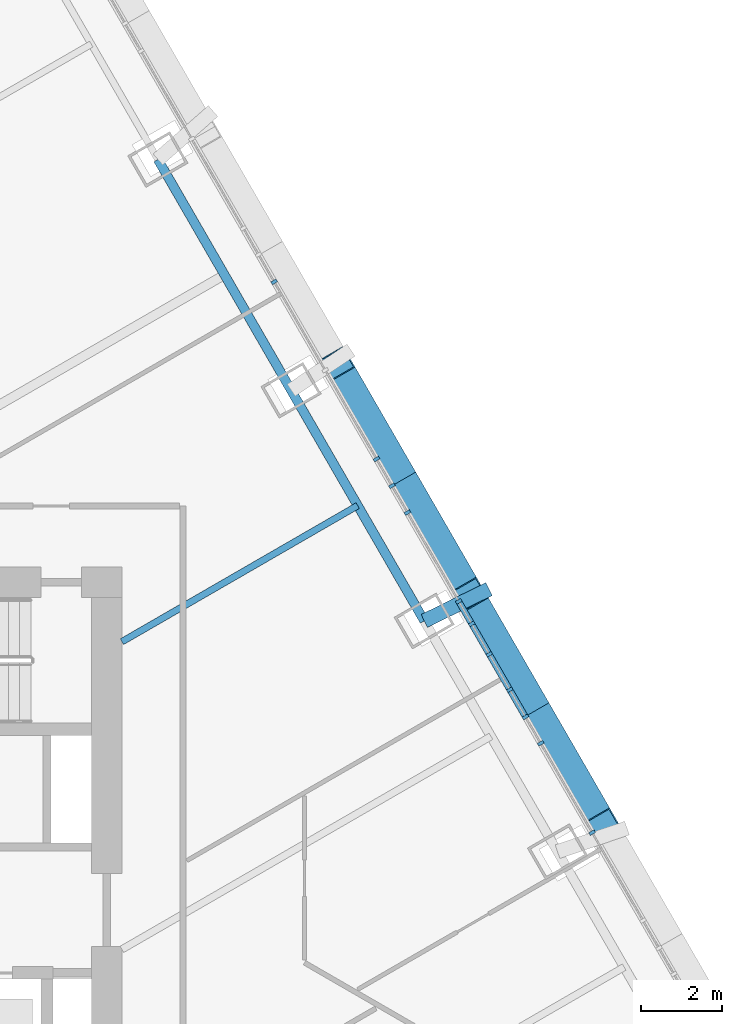
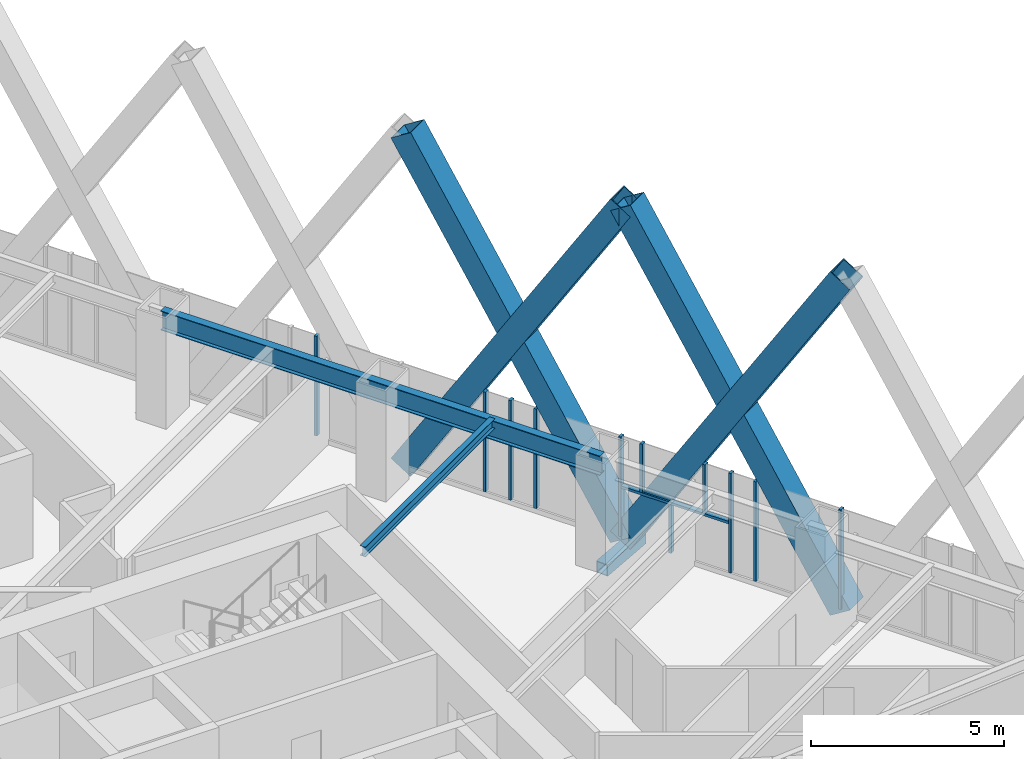
# One storey, part 9 of 25: 17 members, 2 beams, 1 element without a shape of its own.
"""IFC4 building model written with IfcOpenShell, lengths in metres."""

from ifc_helpers import new_model, si_unit, direction, frame, origin, origin_2d, place, context, subcontext, project, spatial, rectangle, hollow_rectangle, i_section, extrude, material, layer, layer_set, material_profile, profile_set, type_object, element, aggregate, save


model = new_model("IFC4")

# Units and contexts
model_context = context("Model", 3, precision=1e-05, world=origin(), true_north=direction((0.0, 1.0)))
body_context = subcontext(model_context, "Body", "Model", "MODEL_VIEW")
ifc_project = project(units=[si_unit("LENGTHUNIT", "METRE"), si_unit("AREAUNIT", "SQUARE_METRE"), si_unit("VOLUMEUNIT", "CUBIC_METRE"), si_unit("PLANEANGLEUNIT", "RADIAN"), si_unit("MASSUNIT", "GRAM", prefix="KILO")], contexts=[model_context])

# Site, building, storey
site_placement = place(None, origin())
site = spatial("IfcSite", under=ifc_project, at=site_placement, CompositionType="ELEMENT")
building_placement = place(site_placement, origin())
building = spatial("IfcBuilding", under=site, at=building_placement, Name="Firuza Gate Tower and Library", CompositionType="ELEMENT")
storey_placement = place(building_placement, frame((0.0, 0.0, 270.60009765625)))
storey = spatial("IfcBuildingStorey", under=building, at=storey_placement, Name="L64", CompositionType="ELEMENT", Elevation=270.60009765625)

# Members
ifc_material_1 = material(Name="Steel S355", Category="steel")
ifc_material_profile_1 = material_profile(ifc_material_1, hollow_rectangle(XDim=0.699951171875, YDim=0.699951171875, WallThickness=0.030029296875, at=origin_2d()))
ifc_profile_set_1 = profile_set([ifc_material_profile_1], Name="Steel S355")
member_type_1 = type_object("IfcMemberType", Name="BU700x700x30 Lattice brace", PredefinedType="BRACE", material=ifc_profile_set_1)
for number, where, z_axis, x_axis, name in (
    (1, (95.35986328125, 75.38330078125, 0.0), (-0.265087297838, 0.459121894397, 0.847900825928), (-0.866014664317, -0.500018600842, 0.0), "Lattice brace E 16.3R"),
    (2, (92.0771484375, 81.06884765625, 0.0), (0.265087297838, -0.459121894397, 0.847900825928), (0.866014664317, 0.500018600842, 0.0), "Lattice brace E 16.3L"),
    (3, (92.0771484375, 81.06884765625, 0.0), (-0.265084898364, 0.459137453369, 0.847893151036), (-0.86602396135, -0.500002498361, 0.0), "Lattice brace E 16.4R"),
    (4, (88.79443359375, 86.754638671875, 0.0), (0.265084898364, -0.459137453369, 0.847893151036), (0.86602396135, 0.500002498361, 0.0), "Lattice brace E 16.4L"),
):
    element("IfcMember", number, at=place(storey_placement, frame(where, z_axis=z_axis, x_axis=x_axis)), inside=storey, type_object=member_type_1, Name=name, PredefinedType="BRACE", context=body_context, shape_type="SweptSolid", body=[
        extrude(hollow_rectangle(XDim=0.699951171875, YDim=0.699951171875, WallThickness=0.030029296875, at=origin_2d()), origin(), (0.0, 0.0, 1.0), 12.383544921875),
    ])

# Curtain wall, members
ifc_material_2 = material(Name="Aluminium 6063-T6", Category="aluminium")
ifc_layer = layer(ifc_material_2, 0.14990234375)
ifc_layer_set = layer_set([ifc_layer], Name="Unitised curtain wall, residences")
curtain_wall_type = type_object("IfcCurtainWallType", Name="Unitised curtain wall, residences", PredefinedType="NOTDEFINED", material=ifc_layer_set)
curtain_wall_placement = place(storey_placement, origin())
curtain_wall = element("IfcCurtainWall", 5, at=curtain_wall_placement, inside=storey, type_object=curtain_wall_type, Name="CW3 L64 E face", PredefinedType="NOTDEFINED")
ifc_material_3 = material(Name="Aluminium 6063-T6", Category="aluminium")
ifc_material_profile_2 = material_profile(ifc_material_3, rectangle(XDim=0.14990234375, YDim=0.080078125, at=origin_2d()))
ifc_profile_set_2 = profile_set([ifc_material_profile_2], Name="Aluminium 6063-T6")
member_type_2 = type_object("IfcMemberType", Name="Curtain wall mullion 80x150", PredefinedType="MULLION", material=ifc_profile_set_2)
member_1_placement = place(storey_placement, frame((95.087646484375, 75.20458984375, 0.14990234375), z_axis=(0.0, 0.0, 1.0), x_axis=(-0.866025403784, -0.5, 0.0)))
member_1 = element("IfcMember", 6, at=member_1_placement, type_object=member_type_2, Name="Mullion", PredefinedType="MULLION", context=body_context, shape_type="SweptSolid", body=[
    extrude(rectangle(XDim=0.14990234375, YDim=0.080078125, at=origin_2d()), origin(), (0.0, 0.0, 1.0), 3.14990234375),
])
member_2_placement = place(storey_placement, frame((93.443115234375, 78.052978515625, 0.14990234375), z_axis=(0.0, 0.0, 1.0), x_axis=(-0.866025403784, -0.5, 0.0)))
member_2 = element("IfcMember", 7, at=member_2_placement, type_object=member_type_2, Name="Mullion", PredefinedType="MULLION", context=body_context, shape_type="SweptSolid", body=[
    extrude(rectangle(XDim=0.14990234375, YDim=0.080078125, at=origin_2d()), origin(), (0.0, 0.0, 1.0), 3.14990234375),
])
member_3_placement = place(storey_placement, frame((91.798828125, 80.901123046875, 0.14990234375), z_axis=(0.0, 0.0, 1.0), x_axis=(-0.866025403784, -0.5, 0.0)))
member_3 = element("IfcMember", 8, at=member_3_placement, type_object=member_type_2, Name="Mullion", PredefinedType="MULLION", context=body_context, shape_type="SweptSolid", body=[
    extrude(rectangle(XDim=0.14990234375, YDim=0.080078125, at=origin_2d()), origin(), (0.0, 0.0, 1.0), 3.14990234375),
])
member_4_placement = place(storey_placement, frame((90.154296875, 83.749267578125, 0.14990234375), z_axis=(0.0, 0.0, 1.0), x_axis=(-0.866025403784, -0.5, 0.0)))
member_4 = element("IfcMember", 9, at=member_4_placement, type_object=member_type_2, Name="Mullion", PredefinedType="MULLION", context=body_context, shape_type="SweptSolid", body=[
    extrude(rectangle(XDim=0.14990234375, YDim=0.080078125, at=origin_2d()), origin(), (0.0, 0.0, 1.0), 3.14990234375),
])
member_5_placement = place(storey_placement, frame((93.817626953125, 77.404052734375, 0.14990234375), z_axis=(0.0, 0.0, 1.0), x_axis=(-0.866025403784, -0.5, 0.0)))
member_5 = element("IfcMember", 10, at=member_5_placement, type_object=member_type_2, Name="Mullion", PredefinedType="MULLION", context=body_context, shape_type="SweptSolid", body=[
    extrude(rectangle(XDim=0.14990234375, YDim=0.080078125, at=origin_2d()), origin(), (0.0, 0.0, 1.0), 3.14990234375),
])
member_6_placement = place(storey_placement, frame((92.55126953125, 79.59765625, 0.14990234375), z_axis=(0.0, 0.0, 1.0), x_axis=(-0.866025403784, -0.5, 0.0)))
member_6 = element("IfcMember", 11, at=member_6_placement, type_object=member_type_2, Name="Mullion", PredefinedType="MULLION", context=body_context, shape_type="SweptSolid", body=[
    extrude(rectangle(XDim=0.14990234375, YDim=0.080078125, at=origin_2d()), origin(), (0.0, 0.0, 1.0), 1.534912109375),
])
member_7_placement = place(storey_placement, frame((93.05615234375, 78.72314453125, 1.764892578125), z_axis=(0.0, 0.0, 1.0), x_axis=(-0.866025403784, -0.5, 0.0)))
member_7 = element("IfcMember", 12, at=member_7_placement, type_object=member_type_2, Name="Mullion", PredefinedType="MULLION", context=body_context, shape_type="SweptSolid", body=[
    extrude(rectangle(XDim=0.14990234375, YDim=0.080078125, at=origin_2d()), origin(), (0.0, 0.0, 1.0), 1.534912109375),
])
member_8_placement = place(storey_placement, frame((92.118408203125, 80.34716796875, 1.764892578125), z_axis=(0.0, 0.0, 1.0), x_axis=(-0.866025403784, -0.5, 0.0)))
member_8 = element("IfcMember", 13, at=member_8_placement, type_object=member_type_2, Name="Mullion", PredefinedType="MULLION", context=body_context, shape_type="SweptSolid", body=[
    extrude(rectangle(XDim=0.14990234375, YDim=0.080078125, at=origin_2d()), origin(), (0.0, 0.0, 1.0), 1.534912109375),
])
member_9_placement = place(storey_placement, frame((90.534912109375, 83.08984375, 0.14990234375), z_axis=(0.0, 0.0, 1.0), x_axis=(-0.866025403784, -0.5, 0.0)))
member_9 = element("IfcMember", 14, at=member_9_placement, type_object=member_type_2, Name="Mullion", PredefinedType="MULLION", context=body_context, shape_type="SweptSolid", body=[
    extrude(rectangle(XDim=0.14990234375, YDim=0.080078125, at=origin_2d()), origin(), (0.0, 0.0, 1.0), 3.14990234375),
])
member_10_placement = place(storey_placement, frame((89.7734375, 84.40869140625, 0.14990234375), z_axis=(0.0, 0.0, 1.0), x_axis=(-0.866025403784, -0.5, 0.0)))
member_10 = element("IfcMember", 15, at=member_10_placement, type_object=member_type_2, Name="Mullion", PredefinedType="MULLION", context=body_context, shape_type="SweptSolid", body=[
    extrude(rectangle(XDim=0.14990234375, YDim=0.080078125, at=origin_2d()), origin(), (0.0, 0.0, 1.0), 3.14990234375),
])
member_11_placement = place(storey_placement, frame((87.25244140625, 88.775634765625, 0.14990234375), z_axis=(0.0, 0.0, 1.0), x_axis=(-0.866025403784, -0.5, 0.0)))
member_11 = element("IfcMember", 16, at=member_11_placement, type_object=member_type_2, Name="Mullion", PredefinedType="MULLION", context=body_context, shape_type="SweptSolid", body=[
    extrude(rectangle(XDim=0.14990234375, YDim=0.080078125, at=origin_2d()), origin(), (0.0, 0.0, 1.0), 3.14990234375),
])
ifc_material_4 = material(Name="Aluminium 6063-T6", Category="aluminium")
ifc_material_profile_3 = material_profile(ifc_material_4, rectangle(XDim=0.14990234375, YDim=0.080078125, at=origin_2d()))
ifc_profile_set_3 = profile_set([ifc_material_profile_3], Name="Aluminium 6063-T6")
member_type_3 = type_object("IfcMemberType", Name="Curtain wall transom 80x150", PredefinedType="USERDEFINED", material=ifc_profile_set_3)
member_12_placement = place(storey_placement, frame((93.423095703125, 78.08740234375, 1.724853515625), z_axis=(-0.500001248813, 0.866024682781, 0.0), x_axis=(-0.866024682781, -0.500001248813, 0.0)))
member_12 = element("IfcMember", 17, at=member_12_placement, type_object=member_type_3, Name="Transom", ObjectType="TRANSOM", PredefinedType="USERDEFINED", context=body_context, shape_type="SweptSolid", body=[
    extrude(rectangle(XDim=0.14990234375, YDim=0.080078125, at=origin_2d()), origin(), (0.0, 0.0, 1.0), 3.208984375),
])
aggregate(curtain_wall, [member_1, member_2, member_3, member_4, member_5, member_6, member_7, member_8, member_12, member_9, member_10, member_11])

# Member
ifc_material_5 = material(Name="Steel S355", Category="steel")
ifc_material_profile_4 = material_profile(ifc_material_5, hollow_rectangle(XDim=0.355712890625, YDim=0.355712890625, WallThickness=0.014892578125, at=origin_2d()))
ifc_profile_set_4 = profile_set([ifc_material_profile_4], Name="Steel S355")
member_type_4 = type_object("IfcMemberType", Name="HSS356x356x16 Lattice node tie", PredefinedType="BRACE", material=ifc_profile_set_4)
member_13_placement = place(storey_placement, frame((90.951171875, 80.4189453125, -0.320068359375), z_axis=(0.897156445363, 0.441712930017, 0.0), x_axis=(-0.441712930017, 0.897156445363, 0.0)))
element("IfcMember", 18, at=member_13_placement, inside=storey, type_object=member_type_4, Name="Lattice node tie E L64 397", PredefinedType="BRACE", context=body_context, shape_type="SweptSolid", body=[
    extrude(hollow_rectangle(XDim=0.355712890625, YDim=0.355712890625, WallThickness=0.014892578125, at=origin_2d()), origin(), (0.0, 0.0, 1.0), 1.778076171875),
])

# Beams
ifc_material_6 = material(Name="Steel S355", Category="steel")
ifc_material_profile_5 = material_profile(ifc_material_6, i_section(OverallWidth=0.1650390625, OverallDepth=0.31005859375, WebThickness=0.005859375, FlangeThickness=0.009765625, at=origin_2d()))
ifc_profile_set_5 = profile_set([ifc_material_profile_5], Name="Steel S355")
beam_type_1 = type_object("IfcBeamType", Name="W310x39 Floor beam", PredefinedType="JOIST", material=ifc_profile_set_5)
beam_1_placement = place(storey_placement, frame((89.309814453125, 83.26171875, 3.14501953125), z_axis=(-0.866028624078, -0.499994422247, 0.0), x_axis=(0.499994422247, -0.866028624078, 0.0)))
element("IfcBeam", 19, at=beam_1_placement, inside=storey, type_object=beam_type_1, Name="Floor beam L64 s52", PredefinedType="JOIST", context=body_context, shape_type="SweptSolid", body=[
    extrude(i_section(OverallWidth=0.1650390625, OverallDepth=0.31005859375, WebThickness=0.005859375, FlangeThickness=0.009765625, at=origin_2d()), origin(), (0.0, 0.0, 1.0), 6.70849609375),
])
ifc_material_7 = material(Name="Steel S355", Category="steel")
ifc_material_profile_6 = material_profile(ifc_material_7, i_section(OverallWidth=0.22900390625, OverallDepth=0.612060546875, WebThickness=0.011962890625, FlangeThickness=0.01953125, at=origin_2d()))
ifc_profile_set_6 = profile_set([ifc_material_profile_6], Name="Steel S355")
beam_type_2 = type_object("IfcBeamType", Name="W610x125 Edge beam", PredefinedType="SPANDREL", material=ifc_profile_set_6)
beam_2_placement = place(storey_placement, frame((90.951171875, 80.4189453125, 2.993896484375), z_axis=(-0.499988553475, 0.866032012338, 0.0), x_axis=(-0.866032012338, -0.499988553475, 0.0)))
element("IfcBeam", 20, at=beam_2_placement, inside=storey, type_object=beam_type_2, Name="Edge beam L64 e52", PredefinedType="SPANDREL", context=body_context, shape_type="SweptSolid", body=[
    extrude(i_section(OverallWidth=0.22900390625, OverallDepth=0.612060546875, WebThickness=0.011962890625, FlangeThickness=0.01953125, at=origin_2d()), origin(), (0.0, 0.0, 1.0), 13.130615234375),
])

save(model, "model.ifc")
